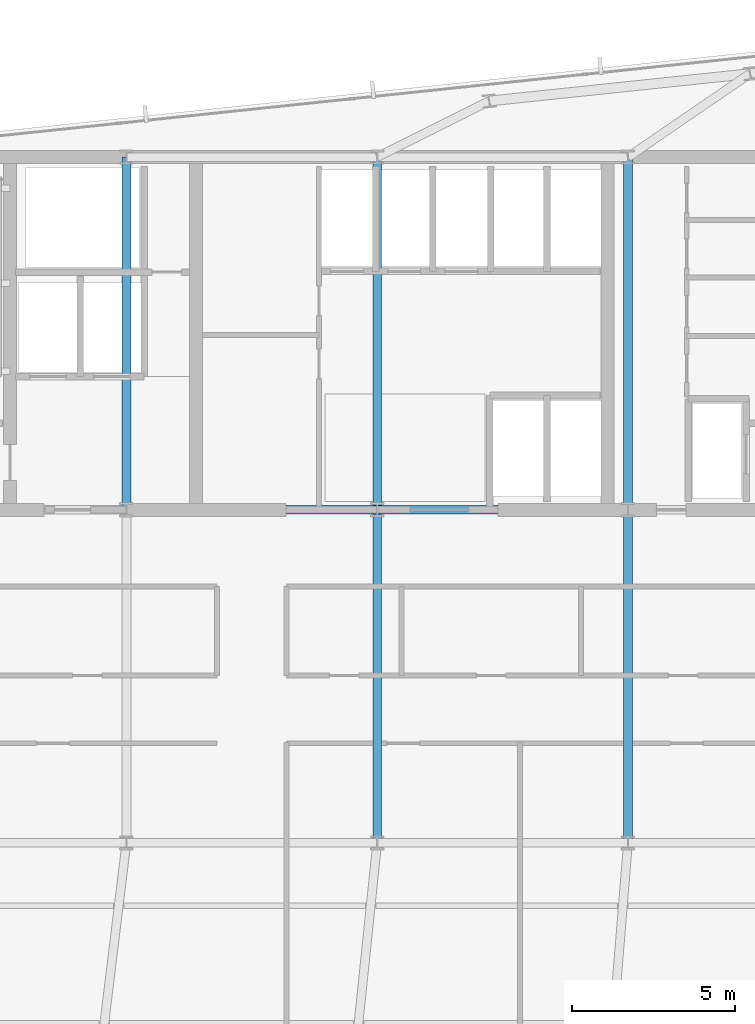
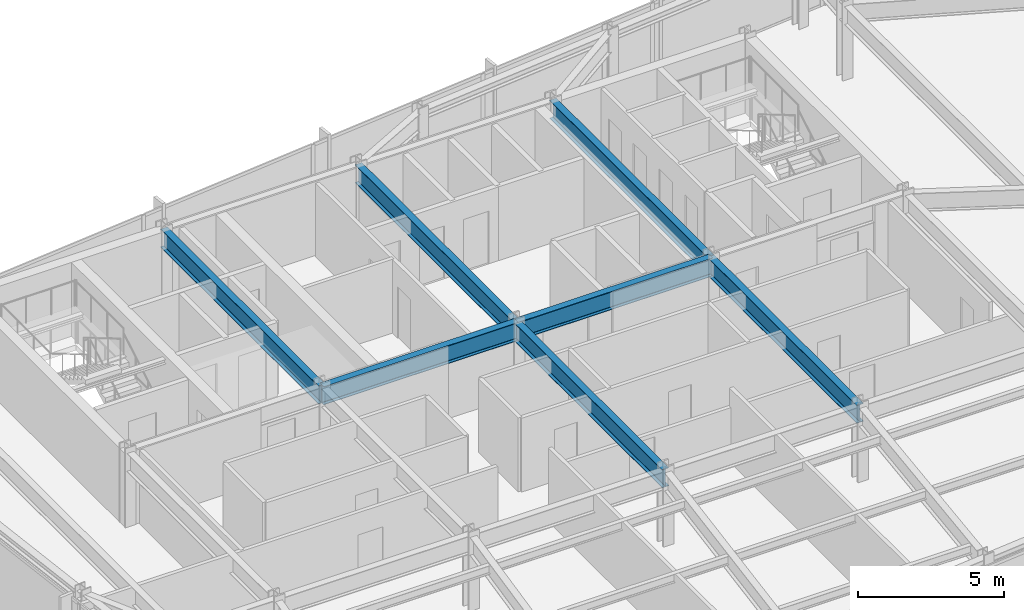
# One storey, part 13 of 32: 7 beams.
"""IFC4 building model written with IfcOpenShell, lengths in metres."""

from ifc_helpers import new_model, si_unit, direction, frame, origin, origin_2d, place, context, subcontext, project, spatial, i_section, extrude, material, material_profile, profile_set, type_object, element, save


model = new_model("IFC4")

# Units and contexts
model_context = context("Model", 3, precision=1e-05, world=origin(), true_north=direction((0.0, 1.0)))
body_context = subcontext(model_context, "Body", "Model", "MODEL_VIEW")
ifc_project = project(units=[si_unit("LENGTHUNIT", "METRE"), si_unit("AREAUNIT", "SQUARE_METRE"), si_unit("VOLUMEUNIT", "CUBIC_METRE"), si_unit("PLANEANGLEUNIT", "RADIAN"), si_unit("MASSUNIT", "GRAM", prefix="KILO")], contexts=[model_context])

# Site, building, storey
site_placement = place(None, origin())
site = spatial("IfcSite", under=ifc_project, at=site_placement, CompositionType="ELEMENT")
building_placement = place(site_placement, origin())
building = spatial("IfcBuilding", under=site, at=building_placement, Name="Yelkora Congress Tower", CompositionType="ELEMENT")
storey_placement = place(building_placement, frame((0.0, 0.0, 207.800048828125)))
storey = spatial("IfcBuildingStorey", under=building, at=storey_placement, Name="L57", CompositionType="ELEMENT", Elevation=207.800048828125)

# Beams
ifc_material = material(Name="Steel S355J2", Category="steel")
ifc_material_profile = material_profile(ifc_material, i_section(OverallWidth=0.26708984375, OverallDepth=0.761962890625, WebThickness=0.014404296875, FlangeThickness=0.021484375, FilletRadius=0.01708984375, at=origin_2d()), Name="IPE 750x173")
ifc_profile_set = profile_set([ifc_material_profile], Name="Steel S355J2")
beam_type = type_object("IfcBeamType", Name="BM-GIRD-IPE750", PredefinedType="BEAM", material=ifc_profile_set)
beam_1_placement = place(storey_placement, frame((30.719970703125, 35.39990234375, 2.698974609375), z_axis=(1.0, 0.0, 0.0), x_axis=(0.0, 1.0, 0.0)))
element("IfcBeam", 1, at=beam_1_placement, inside=storey, type_object=beam_type, Name="L57 Core South Girder 2", PredefinedType="BEAM", context=body_context, shape_type="SweptSolid", body=[
    extrude(i_section(OverallWidth=0.26708984375, OverallDepth=0.761962890625, WebThickness=0.014404296875, FlangeThickness=0.021484375, FilletRadius=0.01708984375, at=origin_2d()), origin(), (0.0, 0.0, 1.0), 7.679931640625),
])
beam_2_placement = place(storey_placement, frame((38.39990234375, 35.39990234375, 2.698974609375), z_axis=(1.0, 0.0, 0.0), x_axis=(0.0, 1.0, 0.0)))
element("IfcBeam", 2, at=beam_2_placement, inside=storey, type_object=beam_type, Name="L57 Core South Girder 3", PredefinedType="BEAM", context=body_context, shape_type="SweptSolid", body=[
    extrude(i_section(OverallWidth=0.26708984375, OverallDepth=0.761962890625, WebThickness=0.014404296875, FlangeThickness=0.021484375, FilletRadius=0.01708984375, at=origin_2d()), origin(), (0.0, 0.0, 1.0), 7.68017578125),
])
beam_3_placement = place(storey_placement, frame((30.719970703125, 35.39990234375, 2.698974609375), z_axis=(0.0, 1.0, 0.0), x_axis=(-1.0, 0.0, 0.0)))
element("IfcBeam", 3, at=beam_3_placement, inside=storey, type_object=beam_type, Name="L57 Core Tie Girder MC-S2", PredefinedType="BEAM", context=body_context, shape_type="SweptSolid", body=[
    extrude(i_section(OverallWidth=0.26708984375, OverallDepth=0.761962890625, WebThickness=0.014404296875, FlangeThickness=0.021484375, FilletRadius=0.01708984375, at=origin_2d()), origin(), (0.0, 0.0, 1.0), 10.800048828125),
])
beam_4_placement = place(storey_placement, frame((38.39990234375, 25.199951171875, 2.698974609375), z_axis=(0.0, 1.0, 0.0), x_axis=(-1.0, 0.0, 0.0)))
element("IfcBeam", 4, at=beam_4_placement, inside=storey, type_object=beam_type, Name="L57 Core Tie Girder MC-D3", PredefinedType="BEAM", context=body_context, shape_type="SweptSolid", body=[
    extrude(i_section(OverallWidth=0.26708984375, OverallDepth=0.761962890625, WebThickness=0.014404296875, FlangeThickness=0.021484375, FilletRadius=0.01708984375, at=origin_2d()), origin(), (0.0, 0.0, 1.0), 10.199951171875),
])
beam_5_placement = place(storey_placement, frame((38.39990234375, 35.39990234375, 2.698974609375), z_axis=(0.0, 1.0, 0.0), x_axis=(-1.0, 0.0, 0.0)))
element("IfcBeam", 5, at=beam_5_placement, inside=storey, type_object=beam_type, Name="L57 Core Tie Girder MC-S3", PredefinedType="BEAM", context=body_context, shape_type="SweptSolid", body=[
    extrude(i_section(OverallWidth=0.26708984375, OverallDepth=0.761962890625, WebThickness=0.014404296875, FlangeThickness=0.021484375, FilletRadius=0.01708984375, at=origin_2d()), origin(), (0.0, 0.0, 1.0), 10.800048828125),
])
beam_6_placement = place(storey_placement, frame((46.080078125, 25.199951171875, 2.698974609375), z_axis=(0.0, 1.0, 0.0), x_axis=(-1.0, 0.0, 0.0)))
element("IfcBeam", 6, at=beam_6_placement, inside=storey, type_object=beam_type, Name="L57 Core Tie Girder MC-D4", PredefinedType="BEAM", context=body_context, shape_type="SweptSolid", body=[
    extrude(i_section(OverallWidth=0.26708984375, OverallDepth=0.761962890625, WebThickness=0.014404296875, FlangeThickness=0.021484375, FilletRadius=0.01708984375, at=origin_2d()), origin(), (0.0, 0.0, 1.0), 10.199951171875),
])
beam_7_placement = place(storey_placement, frame((46.080078125, 35.39990234375, 2.698974609375), z_axis=(0.0, 1.0, 0.0), x_axis=(-1.0, 0.0, 0.0)))
element("IfcBeam", 7, at=beam_7_placement, inside=storey, type_object=beam_type, Name="L57 Core Tie Girder MC-S4", PredefinedType="BEAM", context=body_context, shape_type="SweptSolid", body=[
    extrude(i_section(OverallWidth=0.26708984375, OverallDepth=0.761962890625, WebThickness=0.014404296875, FlangeThickness=0.021484375, FilletRadius=0.01708984375, at=origin_2d()), origin(), (0.0, 0.0, 1.0), 10.800048828125),
])

save(model, "model.ifc")
